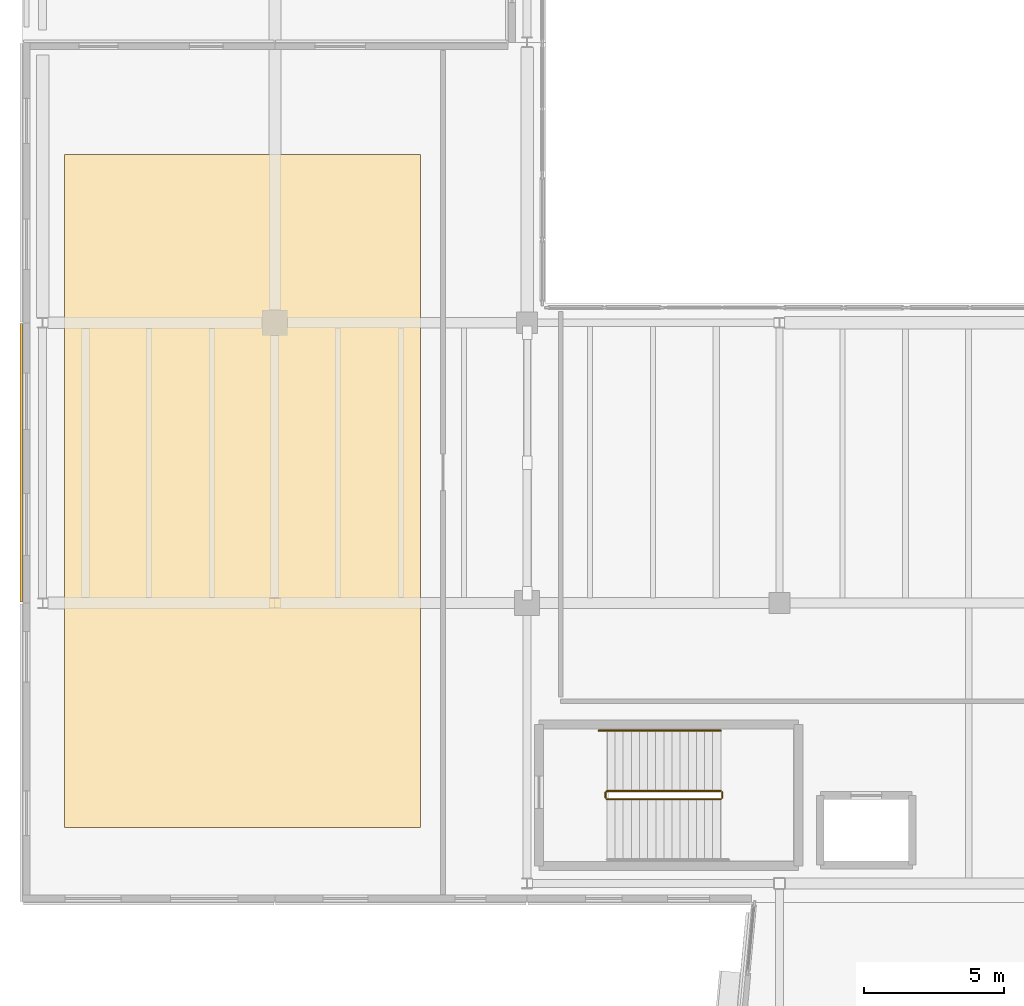
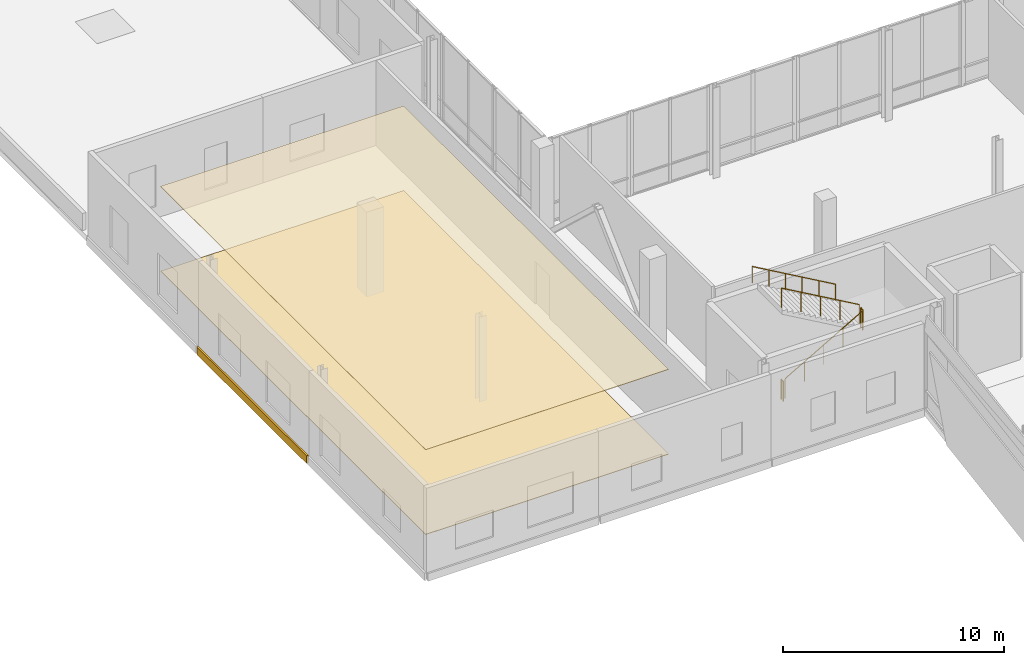
# One storey, part 50 of 60: 5 railings, 3 coverings.
"""IFC4 building model written with IfcOpenShell, lengths in metres."""

from ifc_helpers import new_model, si_unit, direction, frame, origin, origin_2d, place, context, subcontext, project, spatial, polyline, rectangle, circle, outline, extrude, material, layer, layer_set, type_object, element, save


model = new_model("IFC4")

# Units and contexts
model_context = context("Model", 3, precision=1e-05, world=origin(), true_north=direction((0.0, 1.0)))
body_context = subcontext(model_context, "Body", "Model", "MODEL_VIEW")
ifc_project = project(units=[si_unit("LENGTHUNIT", "METRE"), si_unit("AREAUNIT", "SQUARE_METRE"), si_unit("VOLUMEUNIT", "CUBIC_METRE"), si_unit("PLANEANGLEUNIT", "RADIAN"), si_unit("MASSUNIT", "GRAM", prefix="KILO")], contexts=[model_context])

# Site, building, storey
site_placement = place(None, origin())
site = spatial("IfcSite", under=ifc_project, at=site_placement, CompositionType="ELEMENT")
building_placement = place(site_placement, origin())
building = spatial("IfcBuilding", under=site, at=building_placement, Name="Trimount Lyric Opera House", CompositionType="ELEMENT")
storey_placement = place(building_placement, frame((0.0, 0.0, 15.0)))
storey = spatial("IfcBuildingStorey", under=building, at=storey_placement, Name="L03", CompositionType="ELEMENT", Elevation=15.0)

# Coverings
ifc_material_1 = material(Name="Acoustic Gypsum Suspended Ceiling")
ifc_layer_1 = layer(ifc_material_1, 0.030029296875)
ifc_layer_set_1 = layer_set([ifc_layer_1], Name="CEIL-GYP1")
covering_type_1 = type_object("IfcCoveringType", Name="CEIL-GYP1", PredefinedType="CEILING", material=ifc_layer_set_1)
covering_1_placement = place(storey_placement, frame((0.0, 0.0, 4.679931640625)))
element("IfcCovering", 1, at=covering_1_placement, inside=storey, type_object=covering_type_1, Name="Opera Staging Rehearsal Room acoustic ceiling", PredefinedType="CEILING", context=body_context, shape_type="SweptSolid", body=[
    extrude(outline(polyline([(1.5, 56.0), (14.199951171875, 56.0), (14.199951171875, 80.0), (1.5, 80.0), (1.5, 56.0)])), origin(), (0.0, 0.0, 1.0), 0.030029296875),
])
ifc_material_2 = material(Name="Architectural Precast Concrete Spandrel Band", Category="concrete")
ifc_layer_2 = layer(ifc_material_2, 0.094970703125)
ifc_layer_set_2 = layer_set([ifc_layer_2], Name="CLD-WING1")
covering_type_2 = type_object("IfcCoveringType", Name="CLD-WING1", PredefinedType="CLADDING", material=ifc_layer_set_2)
covering_2_placement = place(storey_placement, frame((-0.04150390625, 69.0, -0.369873046875), z_axis=(0.0, 0.0, 1.0), x_axis=(0.0, 1.0, 0.0)))
element("IfcCovering", 2, at=covering_2_placement, inside=storey, type_object=covering_type_2, Name="L03 precast slab-edge spandrel 245", PredefinedType="CLADDING", context=body_context, shape_type="SweptSolid", body=[
    extrude(rectangle(XDim=9.93994140625, YDim=0.094970703125, at=origin_2d()), origin(), (0.0, 0.0, 1.0), 0.419921875),
])
ifc_material_3 = material(Name="Sprung European Oak Stage and Rehearsal Flooring")
ifc_layer_3 = layer(ifc_material_3, 0.028076171875)
ifc_layer_set_3 = layer_set([ifc_layer_3], Name="FLR-OAK1")
covering_type_3 = type_object("IfcCoveringType", Name="FLR-OAK1", PredefinedType="FLOORING", material=ifc_layer_set_3)
covering_3_placement = place(storey_placement, origin())
element("IfcCovering", 3, at=covering_3_placement, inside=storey, type_object=covering_type_3, Name="Opera Staging Rehearsal Room finish flooring", PredefinedType="FLOORING", context=body_context, shape_type="SweptSolid", body=[
    extrude(outline(polyline([(1.5, 56.0), (14.199951171875, 56.0), (14.199951171875, 80.0), (1.5, 80.0), (1.5, 56.0)])), origin(), (0.0, 0.0, 1.0), 0.028076171875),
])

# Railings
ifc_material_4 = material(Name="Brushed Stainless Steel 316", Category="steel")
railing_type_1 = type_object("IfcRailingType", Name="RL-GRD110", PredefinedType="GUARDRAIL", material=ifc_material_4)
railing_1_placement = place(storey_placement, frame((20.85009765625, 57.0, 0.166748046875)))
element("IfcRailing", 4, at=railing_1_placement, inside=storey, type_object=railing_type_1, Name="L03 ST-06 stair guard 1", PredefinedType="GUARDRAIL", context=body_context, shape_type="SweptSolid", body=[
    extrude(circle(Radius=0.02392578125, at=origin_2d()), frame((0.0, 0.0, 1.076171875), z_axis=(0.86701161382, 0.0, 0.498287930319), x_axis=(0.0, 1.0, 0.0)), (0.0, 0.0, 1.0), 4.6826171875),
    extrude(circle(Radius=0.02099609375, at=origin_2d()), origin(), (0.0, 0.0, 1.0), 1.052001953125),
    extrude(circle(Radius=0.02099609375, at=origin_2d()), frame((1.014892578125, 0.0, 0.583251953125)), (0.0, 0.0, 1.0), 1.052001953125),
    extrude(circle(Radius=0.02099609375, at=origin_2d()), frame((2.02978515625, 0.0, 1.16650390625)), (0.0, 0.0, 1.0), 1.052001953125),
    extrude(circle(Radius=0.02099609375, at=origin_2d()), frame((3.044921875, 0.0, 1.75)), (0.0, 0.0, 1.0), 1.052001953125),
    extrude(circle(Radius=0.02099609375, at=origin_2d()), frame((4.059814453125, 0.0, 2.333251953125)), (0.0, 0.0, 1.0), 1.052001953125),
])
railing_2_placement = place(storey_placement, frame((24.9599609375, 57.050048828125, 2.5)))
element("IfcRailing", 5, at=railing_2_placement, inside=storey, type_object=railing_type_1, Name="L03 ST-06 stair guard 2", PredefinedType="GUARDRAIL", context=body_context, shape_type="SweptSolid", body=[
    extrude(circle(Radius=0.02392578125, at=origin_2d()), frame((0.0, 0.0, 1.076171875), z_axis=(0.0, 1.0, 0.0), x_axis=(-1.0, 0.0, 0.0)), (0.0, 0.0, 1.0), 0.199951171875),
    extrude(circle(Radius=0.02099609375, at=origin_2d()), origin(), (0.0, 0.0, 1.0), 1.052001953125),
    extrude(circle(Radius=0.02099609375, at=origin_2d()), frame((0.0, 0.199951171875, 0.0)), (0.0, 0.0, 1.0), 1.052001953125),
])
railing_3_placement = place(storey_placement, frame((24.909912109375, 57.300048828125, 2.666748046875)))
element("IfcRailing", 6, at=railing_3_placement, inside=storey, type_object=railing_type_1, Name="L03 ST-06 stair guard 3", PredefinedType="GUARDRAIL", context=body_context, shape_type="SweptSolid", body=[
    extrude(circle(Radius=0.02392578125, at=origin_2d()), frame((0.0, 0.0, 1.076171875), z_axis=(-0.86701161382, 0.0, 0.498287930319), x_axis=(0.0, -1.0, 0.0)), (0.0, 0.0, 1.0), 4.6826171875),
    extrude(circle(Radius=0.02099609375, at=origin_2d()), origin(), (0.0, 0.0, 1.0), 1.052001953125),
    extrude(circle(Radius=0.02099609375, at=origin_2d()), frame((-1.014892578125, 0.0, 0.583251953125)), (0.0, 0.0, 1.0), 1.052001953125),
    extrude(circle(Radius=0.02099609375, at=origin_2d()), frame((-2.02978515625, 0.0, 1.16650390625)), (0.0, 0.0, 1.0), 1.052001953125),
    extrude(circle(Radius=0.02099609375, at=origin_2d()), frame((-3.044921875, 0.0, 1.75)), (0.0, 0.0, 1.0), 1.052001953125),
    extrude(circle(Radius=0.02099609375, at=origin_2d()), frame((-4.059814453125, 0.0, 2.333251953125)), (0.0, 0.0, 1.0), 1.052001953125),
])
railing_4_placement = place(storey_placement, frame((20.800048828125, 57.050048828125, 0.0)))
element("IfcRailing", 7, at=railing_4_placement, inside=storey, type_object=railing_type_1, Name="L03 ST-06 stair guard 4", PredefinedType="GUARDRAIL", context=body_context, shape_type="SweptSolid", body=[
    extrude(circle(Radius=0.02392578125, at=origin_2d()), frame((0.0, 0.0, 1.076171875), z_axis=(0.0, 1.0, 0.0), x_axis=(-1.0, 0.0, 0.0)), (0.0, 0.0, 1.0), 0.199951171875),
    extrude(circle(Radius=0.02099609375, at=origin_2d()), origin(), (0.0, 0.0, 1.0), 1.052001953125),
    extrude(circle(Radius=0.02099609375, at=origin_2d()), frame((0.0, 0.199951171875, 0.0)), (0.0, 0.0, 1.0), 1.052001953125),
])
ifc_material_5 = material(Name="Brushed Stainless Steel 316", Category="steel")
railing_type_2 = type_object("IfcRailingType", Name="RL-HND092", PredefinedType="HANDRAIL", material=ifc_material_5)
railing_5_placement = place(storey_placement, frame((24.909912109375, 59.449951171875, 2.666748046875)))
element("IfcRailing", 8, at=railing_5_placement, inside=storey, type_object=railing_type_2, Name="L03 ST-06 stair handrail 2", PredefinedType="HANDRAIL", context=body_context, shape_type="SweptSolid", body=[
    extrude(circle(Radius=0.0224609375, at=origin_2d()), frame((0.0, 0.0, 0.8974609375), z_axis=(-0.866754379005, 0.0, 0.498735246875), x_axis=(0.0, -1.0, 0.0)), (0.0, 0.0, 1.0), 5.0185546875),
    extrude(circle(Radius=0.02099609375, at=origin_2d()), origin(), (0.0, 0.0, 1.0), 0.875),
    extrude(circle(Radius=0.02099609375, at=origin_2d()), frame((-0.869873046875, 0.0, 0.50048828125)), (0.0, 0.0, 1.0), 0.875),
    extrude(circle(Radius=0.02099609375, at=origin_2d()), frame((-1.739990234375, 0.0, 1.001220703125)), (0.0, 0.0, 1.0), 0.875),
    extrude(circle(Radius=0.02099609375, at=origin_2d()), frame((-2.60986328125, 0.0, 1.501708984375)), (0.0, 0.0, 1.0), 0.875),
    extrude(circle(Radius=0.02099609375, at=origin_2d()), frame((-3.47998046875, 0.0, 2.00244140625)), (0.0, 0.0, 1.0), 0.875),
    extrude(circle(Radius=0.02099609375, at=origin_2d()), frame((-4.349853515625, 0.0, 2.5029296875)), (0.0, 0.0, 1.0), 0.875),
])

save(model, "model.ifc")
